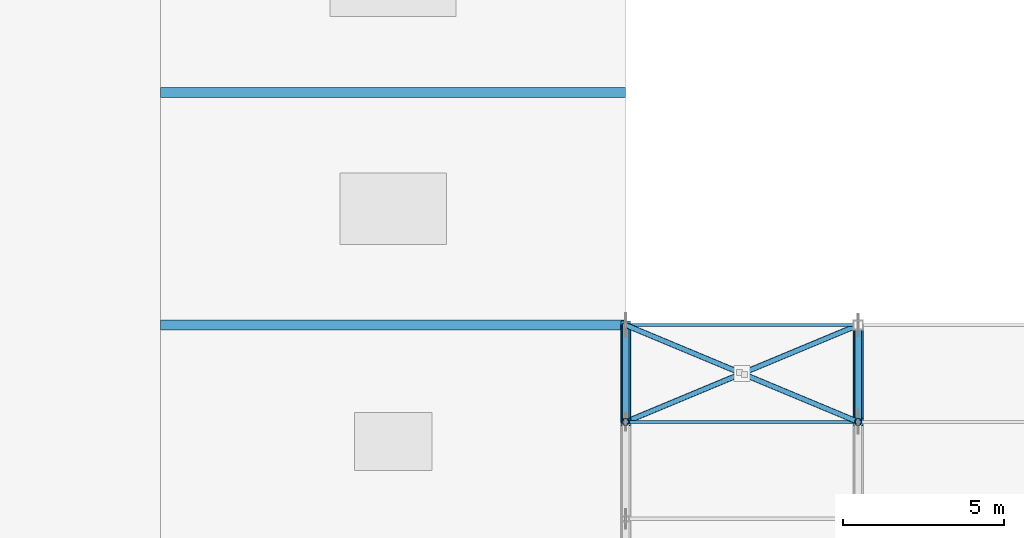
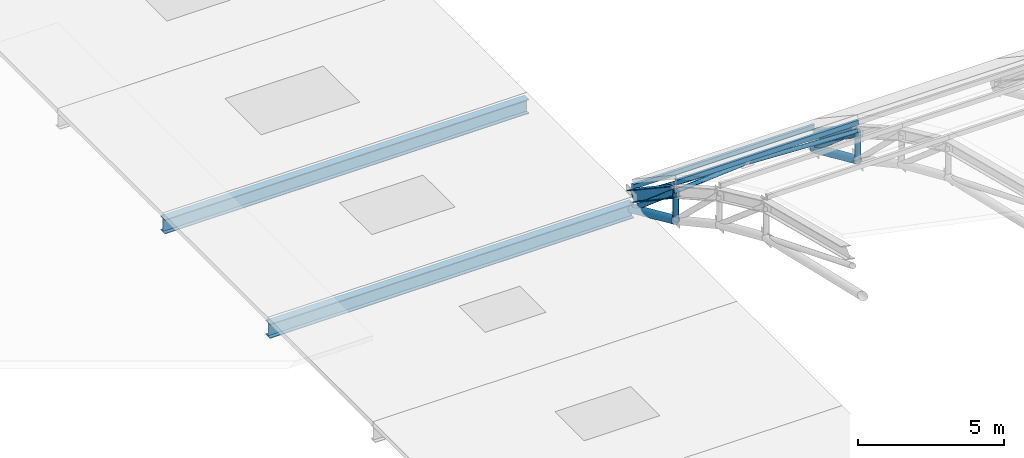
# One storey, part 22 of 63: 11 members, 4 beams.
"""IFC4 building model written with IfcOpenShell, lengths in metres."""

from ifc_helpers import new_model, si_unit, direction, frame, origin, origin_2d, place, context, subcontext, project, spatial, hollow_rectangle, hollow_circle, i_section, extrude, material, material_profile, profile_set, type_object, element, save


model = new_model("IFC4")

# Units and contexts
model_context = context("Model", 3, precision=1e-05, world=origin(), true_north=direction((0.0, 1.0)))
body_context = subcontext(model_context, "Body", "Model", "MODEL_VIEW")
ifc_project = project(units=[si_unit("LENGTHUNIT", "METRE"), si_unit("AREAUNIT", "SQUARE_METRE"), si_unit("VOLUMEUNIT", "CUBIC_METRE"), si_unit("PLANEANGLEUNIT", "RADIAN"), si_unit("MASSUNIT", "GRAM", prefix="KILO")], contexts=[model_context])

# Site, building, storey
site_placement = place(None, origin())
site = spatial("IfcSite", under=ifc_project, at=site_placement, CompositionType="ELEMENT")
building_placement = place(site_placement, origin())
building = spatial("IfcBuilding", under=site, at=building_placement, Name="Solvadek Multi-Sports Hall", CompositionType="ELEMENT")
storey_placement = place(building_placement, frame((0.0, 0.0, 19.199951171875)))
storey = spatial("IfcBuildingStorey", under=building, at=storey_placement, Name="RF", CompositionType="ELEMENT", Elevation=19.199951171875)

# Beams
ifc_material_1 = material(Name="Steel E350 (350 MPa)", Category="steel")
ifc_material_profile_1 = material_profile(ifc_material_1, i_section(OverallWidth=0.300048828125, OverallDepth=0.60009765625, WebThickness=0.015380859375, FlangeThickness=0.030029296875, at=origin_2d()), Name="WPB 600")
ifc_profile_set_1 = profile_set([ifc_material_profile_1], Name="Steel E350 (350 MPa)")
beam_type_1 = type_object("IfcBeamType", Name="STR-BM-WPB600", PredefinedType="BEAM", material=ifc_profile_set_1)
for number, where, z_axis, x_axis, name in (
    (1, (72.0, 42.0, -4.099853515625), (1.0, 0.0, 0.0), (0.0, 1.0, 0.0), "V3 Passage Portal Girder #5"),
    (2, (72.0, 49.199951171875, -4.099853515625), (1.0, 0.0, 0.0), (0.0, 1.0, 0.0), "V3 Passage Portal Girder #6"),
):
    element("IfcBeam", number, at=place(storey_placement, frame(where, z_axis=z_axis, x_axis=x_axis)), inside=storey, type_object=beam_type_1, Name=name, PredefinedType="BEAM", context=body_context, shape_type="SweptSolid", body=[
        extrude(i_section(OverallWidth=0.300048828125, OverallDepth=0.60009765625, WebThickness=0.015380859375, FlangeThickness=0.030029296875, at=origin_2d()), origin(), (0.0, 0.0, 1.0), 14.39990234375),
    ])

# Members
ifc_material_profile_2 = material_profile(ifc_material_1, hollow_circle(Radius=0.084228515625, WallThickness=0.008056640625, at=origin_2d()), Name="CHS 168.3x8")
ifc_profile_set_2 = profile_set([ifc_material_profile_2], Name="Steel E350 (350 MPa)")
member_type_1 = type_object("IfcMemberType", Name="STR-BRC-CHS168", PredefinedType="BRACE", material=ifc_profile_set_2)
member_1_placement = place(storey_placement, frame((86.39990234375, 39.0, -1.545654296875), z_axis=(0.894034817783, 0.372504402581, -0.248881929133), x_axis=(-0.384606494839, 0.9230806271, 0.0)))
element("IfcMember", 3, at=member_1_placement, inside=storey, type_object=member_type_1, Name="V1 Roof Plan Brace #3", PredefinedType="BRACE", context=body_context, shape_type="SweptSolid", body=[
    extrude(hollow_circle(Radius=0.084228515625, WallThickness=0.008056640625, at=origin_2d()), origin(), (0.0, 0.0, 1.0), 8.0537109375),
])
for number, where, z_axis, x_axis, name in (
    (4, (86.39990234375, 42.0, -3.550048828125), (0.894028850757, -0.372527532788, 0.248868743173), (0.384629030944, 0.923071236988, 0.0), "V1 Roof Plan Half-Brace #4A"),
    (5, (90.082275390625, 40.4658203125, -2.52490234375), (0.894028850757, -0.372527532788, 0.248868743173), (0.384629030944, 0.923071236988, 0.0), "V1 Roof Plan Half-Brace #4B"),
):
    element("IfcMember", number, at=place(storey_placement, frame(where, z_axis=z_axis, x_axis=x_axis)), inside=storey, type_object=member_type_1, Name=name, PredefinedType="BRACE", context=body_context, shape_type="SweptSolid", body=[
        extrude(hollow_circle(Radius=0.084228515625, WallThickness=0.008056640625, at=origin_2d()), origin(), (0.0, 0.0, 1.0), 3.934814453125),
    ])
ifc_material_profile_3 = material_profile(ifc_material_1, hollow_circle(Radius=0.109619140625, WallThickness=0.010009765625, at=origin_2d()), Name="CHS 219.1x10")
ifc_profile_set_3 = profile_set([ifc_material_profile_3], Name="Steel E350 (350 MPa)")
member_type_2 = type_object("IfcMemberType", Name="STR-BRC-CHS219", PredefinedType="BRACE", material=ifc_profile_set_3)
member_2_placement = place(storey_placement, frame((86.39990234375, 39.0, -2.754150390625), z_axis=(0.0, 0.0, 1.0), x_axis=(1.0, 0.0, 0.0)))
element("IfcMember", 6, at=member_2_placement, inside=storey, type_object=member_type_2, Name="v1 Truss 1 Web Vertical 7", PredefinedType="BRACE", context=body_context, shape_type="SweptSolid", body=[
    extrude(hollow_circle(Radius=0.109619140625, WallThickness=0.010009765625, at=origin_2d()), origin(), (0.0, 0.0, 1.0), 1.20849609375),
])
member_3_placement = place(storey_placement, frame((86.39990234375, 39.0, -1.545654296875), z_axis=(0.0, 0.761413137307, -0.648266946818), x_axis=(-1.0, 0.0, 0.0)))
element("IfcMember", 7, at=member_3_placement, inside=storey, type_object=member_type_2, Name="v1 Truss 1 Web Diagonal 8", PredefinedType="BRACE", context=body_context, shape_type="SweptSolid", body=[
    extrude(hollow_circle(Radius=0.109619140625, WallThickness=0.010009765625, at=origin_2d()), origin(), (0.0, 0.0, 1.0), 3.93994140625),
])
member_4_placement = place(storey_placement, frame((93.60009765625, 39.0, -2.754150390625), z_axis=(0.0, 0.0, 1.0), x_axis=(1.0, 0.0, 0.0)))
element("IfcMember", 8, at=member_4_placement, inside=storey, type_object=member_type_2, Name="v1 Truss 2 Web Vertical 7", PredefinedType="BRACE", context=body_context, shape_type="SweptSolid", body=[
    extrude(hollow_circle(Radius=0.109619140625, WallThickness=0.010009765625, at=origin_2d()), origin(), (0.0, 0.0, 1.0), 1.20849609375),
])
member_5_placement = place(storey_placement, frame((93.60009765625, 39.0, -1.545654296875), z_axis=(0.0, 0.761413137307, -0.648266946818), x_axis=(-1.0, 0.0, 0.0)))
element("IfcMember", 9, at=member_5_placement, inside=storey, type_object=member_type_2, Name="v1 Truss 2 Web Diagonal 8", PredefinedType="BRACE", context=body_context, shape_type="SweptSolid", body=[
    extrude(hollow_circle(Radius=0.109619140625, WallThickness=0.010009765625, at=origin_2d()), origin(), (0.0, 0.0, 1.0), 3.93994140625),
])
ifc_material_profile_4 = material_profile(ifc_material_1, hollow_circle(Radius=0.161865234375, WallThickness=0.012451171875, at=origin_2d()), Name="CHS 323.9x12.5")
ifc_profile_set_4 = profile_set([ifc_material_profile_4], Name="Steel E350 (350 MPa)")
member_type_3 = type_object("IfcMemberType", Name="STR-CHD-CHS323", PredefinedType="CHORD", material=ifc_profile_set_4)
for number, where, z_axis, x_axis, name in (
    (10, (86.39990234375, 39.0, -2.754150390625), (0.0, 0.912409902676, -0.409277619104), (-1.0, 0.0, 0.0), "v1 Arched Truss 1 Bottom Chord 8"),
    (11, (93.60009765625, 39.0, -2.754150390625), (0.0, 0.912409902676, -0.409277619104), (-1.0, 0.0, 0.0), "v1 Arched Truss 2 Bottom Chord 8"),
):
    element("IfcMember", number, at=place(storey_placement, frame(where, z_axis=z_axis, x_axis=x_axis)), inside=storey, type_object=member_type_3, Name=name, PredefinedType="CHORD", context=body_context, shape_type="SweptSolid", body=[
        extrude(hollow_circle(Radius=0.161865234375, WallThickness=0.012451171875, at=origin_2d()), origin(), (0.0, 0.0, 1.0), 3.2880859375),
    ])
ifc_material_2 = material(Name="Steel E250 (250 MPa)", Category="steel")
ifc_material_profile_5 = material_profile(ifc_material_2, hollow_rectangle(XDim=0.10009765625, YDim=0.199951171875, WallThickness=0.008056640625, at=origin_2d()), Name="RHS 200x100x8")
ifc_profile_set_5 = profile_set([ifc_material_profile_5], Name="Steel E250 (250 MPa)")
member_type_4 = type_object("IfcMemberType", Name="STR-PUR-RHS200", PredefinedType="PURLIN", material=ifc_profile_set_5)
for number, where, z_axis, x_axis, name in (
    (12, (86.39990234375, 39.0, -1.171142578125), (1.0, 0.0, 0.0), (0.0, 1.0, 0.0), "V1 Roof Purlin #8"),
    (13, (86.39990234375, 42.0, -3.17529296875), (1.0, 0.0, 0.0), (0.0, 1.0, 0.0), "V1 Roof Purlin #9"),
):
    element("IfcMember", number, at=place(storey_placement, frame(where, z_axis=z_axis, x_axis=x_axis)), inside=storey, type_object=member_type_4, Name=name, PredefinedType="PURLIN", context=body_context, shape_type="SweptSolid", body=[
        extrude(hollow_rectangle(XDim=0.10009765625, YDim=0.199951171875, WallThickness=0.008056640625, at=origin_2d()), origin(), (0.0, 0.0, 1.0), 7.2001953125),
    ])

# Beams
ifc_material_profile_6 = material_profile(ifc_material_1, i_section(OverallWidth=0.300048828125, OverallDepth=0.449951171875, WebThickness=0.013916015625, FlangeThickness=0.02587890625, at=origin_2d()), Name="WPB 450")
ifc_profile_set_6 = profile_set([ifc_material_profile_6], Name="Steel E350 (350 MPa)")
beam_type_2 = type_object("IfcBeamType", Name="STR-TRS-WPB450", PredefinedType="USERDEFINED", material=ifc_profile_set_6)
for number, where, z_axis, x_axis, name in (
    (14, (86.39990234375, 39.0, -1.545654296875), (0.0, 0.831487713405, -0.55554314185), (-1.0, 0.0, 0.0), "v1 Arched Truss 1 Top Chord 8"),
    (15, (93.60009765625, 39.0, -1.545654296875), (0.0, 0.831487713405, -0.55554314185), (-1.0, 0.0, 0.0), "v1 Arched Truss 2 Top Chord 8"),
):
    element("IfcBeam", number, at=place(storey_placement, frame(where, z_axis=z_axis, x_axis=x_axis)), inside=storey, type_object=beam_type_2, Name=name, ObjectType="ROOF TRUSS", PredefinedType="USERDEFINED", context=body_context, shape_type="SweptSolid", body=[
        extrude(i_section(OverallWidth=0.300048828125, OverallDepth=0.449951171875, WebThickness=0.013916015625, FlangeThickness=0.02587890625, at=origin_2d()), origin(), (0.0, 0.0, 1.0), 3.60791015625),
    ])

save(model, "model.ifc")
